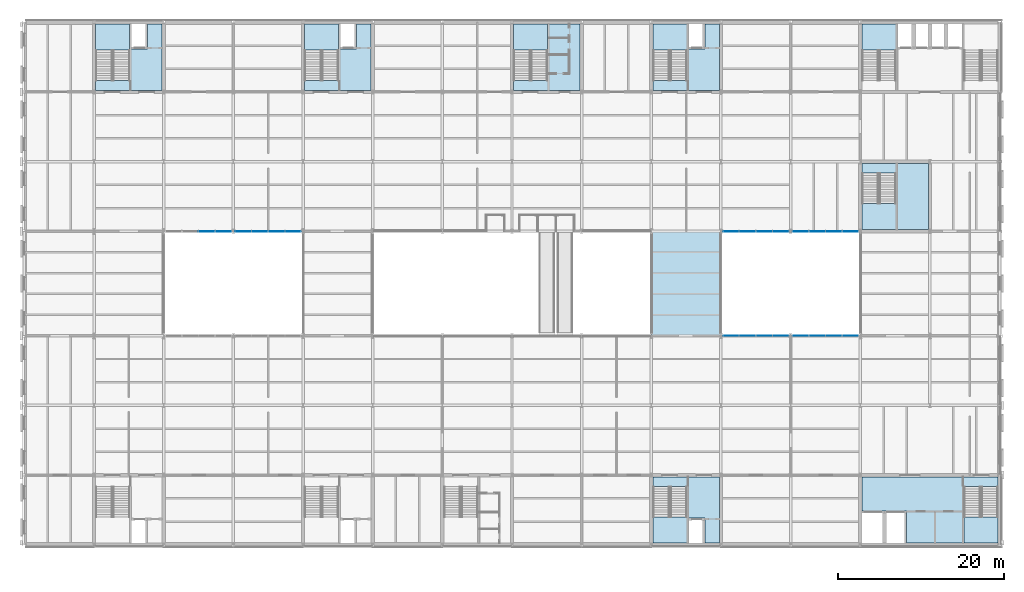
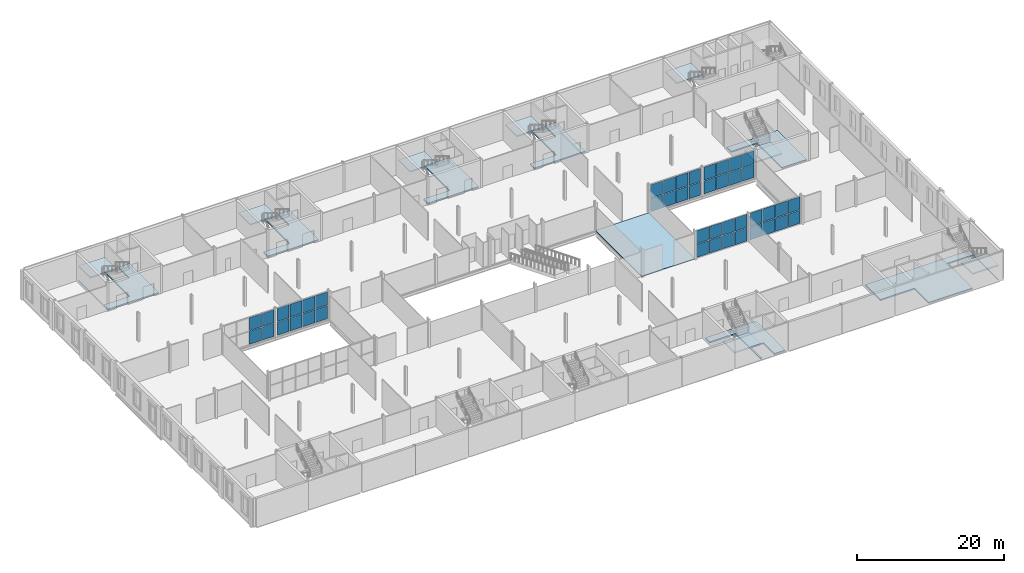
# One storey, part 26 of 52: 44 plates, 16 slabs, 14 elements without a shape of their own.
"""IFC4 building model written with IfcOpenShell, lengths in metres."""

from ifc_helpers import new_model, si_unit, direction, frame, origin, origin_2d, place, context, subcontext, project, spatial, polyline, rectangle, outline, extrude, material, layer, layer_set, type_object, element, aggregate, save


model = new_model("IFC4")

# Units and contexts
model_context = context("Model", 3, precision=1e-05, world=origin(), true_north=direction((0.0, 1.0)))
body_context = subcontext(model_context, "Body", "Model", "MODEL_VIEW")
ifc_project = project(units=[si_unit("LENGTHUNIT", "METRE"), si_unit("AREAUNIT", "SQUARE_METRE"), si_unit("VOLUMEUNIT", "CUBIC_METRE"), si_unit("PLANEANGLEUNIT", "RADIAN"), si_unit("MASSUNIT", "GRAM", prefix="KILO")], contexts=[model_context])

# Site, building, storey
site_placement = place(None, origin())
site = spatial("IfcSite", under=ifc_project, at=site_placement, CompositionType="ELEMENT")
building_placement = place(site_placement, origin())
building = spatial("IfcBuilding", under=site, at=building_placement, Name="Galleria Vessillo Department Store", CompositionType="ELEMENT")
storey_placement = place(building_placement, frame((0.0, 0.0, 16.199951171875)))
storey = spatial("IfcBuildingStorey", under=building, at=storey_placement, Name="L03", CompositionType="ELEMENT", Elevation=16.199951171875)

# Slab
ifc_material_1 = material(Name="Concrete C32/40 composite on steel deck", Category="concrete")
ifc_layer_1 = layer(ifc_material_1, 0.14990234375)
ifc_layer_set_1 = layer_set([ifc_layer_1], Name="Concrete C32/40 composite on steel deck")
slab_type_1 = type_object("IfcSlabType", Name="Composite bridge slab 150 mm", PredefinedType="FLOOR", material=ifc_layer_set_1)
slab_1_placement = place(storey_placement, frame((0.0, 0.0, -0.14990234375)))
element("IfcSlab", 1, at=slab_1_placement, inside=storey, type_object=slab_type_1, Name="S-SLAB-L03-BRIDGE-E", PredefinedType="FLOOR", context=body_context, shape_type="SweptSolid", body=[
    extrude(outline(polyline([(84.0, 25.199951171875), (84.0, 37.800048828125), (75.60009765625, 37.800048828125), (75.60009765625, 25.199951171875), (84.0, 25.199951171875)])), origin(), (0.0, 0.0, 1.0), 0.14990234375),
])

# Curtain wall, plates
ifc_material_2 = material(Name="Steel and fire-resisting glass curtain wall", Category="steel")
ifc_layer_2 = layer(ifc_material_2, 0.199951171875)
ifc_layer_set_2 = layer_set([ifc_layer_2], Name="Steel and fire-resisting glass curtain wall")
curtain_wall_type = type_object("IfcCurtainWallType", Name="Arcade fire-resisting glazed shopfront EI 120-Sa", PredefinedType="NOTDEFINED", material=ifc_layer_set_2)
curtain_wall_1_placement = place(storey_placement, origin())
curtain_wall_1 = element("IfcCurtainWall", 2, at=curtain_wall_1_placement, inside=storey, type_object=curtain_wall_type, Name="Arcade fire-resisting glazed shopfront EI 120-Sa AI-AE-S-L03-01", PredefinedType="NOTDEFINED")
ifc_material_3 = material(Name="Fire-resisting laminated glass EI 120", Category="glass")
ifc_layer_3 = layer(ifc_material_3, 0.052001953125)
ifc_layer_set_3 = layer_set([ifc_layer_3], Name="Fire-resisting laminated glass EI 120")
plate_type = type_object("IfcPlateType", Name="Fire-resisting glass panel 52 mm EI 120", PredefinedType="CURTAIN_PANEL", material=ifc_layer_set_3)
plate_1_placement = place(storey_placement, frame((85.189453125, 25.199951171875, 0.10009765625), z_axis=(0.0, 0.0, 1.0), x_axis=(1.0, 0.0, 0.0)))
plate_1 = element("IfcPlate", 3, at=plate_1_placement, type_object=plate_type, Name="CW7 panel 1.1", PredefinedType="CURTAIN_PANEL", context=body_context, shape_type="SweptSolid", body=[
    extrude(rectangle(XDim=1.87353515625, YDim=0.052001953125, at=origin_2d()), origin(), (0.0, 0.0, 1.0), 2.175048828125),
])
plate_2_placement = place(storey_placement, frame((85.189453125, 25.199951171875, 2.375), z_axis=(0.0, 0.0, 1.0), x_axis=(1.0, 0.0, 0.0)))
plate_2 = element("IfcPlate", 4, at=plate_2_placement, type_object=plate_type, Name="CW7 panel 1.2", PredefinedType="CURTAIN_PANEL", context=body_context, shape_type="SweptSolid", body=[
    extrude(rectangle(XDim=1.87353515625, YDim=0.052001953125, at=origin_2d()), origin(), (0.0, 0.0, 1.0), 2.175048828125),
])
plate_3_placement = place(storey_placement, frame((87.18798828125, 25.199951171875, 0.10009765625), z_axis=(0.0, 0.0, 1.0), x_axis=(1.0, 0.0, 0.0)))
plate_3 = element("IfcPlate", 5, at=plate_3_placement, type_object=plate_type, Name="CW7 panel 2.1", PredefinedType="CURTAIN_PANEL", context=body_context, shape_type="SweptSolid", body=[
    extrude(rectangle(XDim=1.923583984375, YDim=0.052001953125, at=origin_2d()), origin(), (0.0, 0.0, 1.0), 2.175048828125),
])
plate_4_placement = place(storey_placement, frame((87.18798828125, 25.199951171875, 2.375), z_axis=(0.0, 0.0, 1.0), x_axis=(1.0, 0.0, 0.0)))
plate_4 = element("IfcPlate", 6, at=plate_4_placement, type_object=plate_type, Name="CW7 panel 2.2", PredefinedType="CURTAIN_PANEL", context=body_context, shape_type="SweptSolid", body=[
    extrude(rectangle(XDim=1.923583984375, YDim=0.052001953125, at=origin_2d()), origin(), (0.0, 0.0, 1.0), 2.175048828125),
])
plate_5_placement = place(storey_placement, frame((89.21142578125, 25.199951171875, 0.10009765625), z_axis=(0.0, 0.0, 1.0), x_axis=(1.0, 0.0, 0.0)))
plate_5 = element("IfcPlate", 7, at=plate_5_placement, type_object=plate_type, Name="CW7 panel 3.1", PredefinedType="CURTAIN_PANEL", context=body_context, shape_type="SweptSolid", body=[
    extrude(rectangle(XDim=1.923583984375, YDim=0.052001953125, at=origin_2d()), origin(), (0.0, 0.0, 1.0), 2.175048828125),
])
plate_6_placement = place(storey_placement, frame((89.21142578125, 25.199951171875, 2.375), z_axis=(0.0, 0.0, 1.0), x_axis=(1.0, 0.0, 0.0)))
plate_6 = element("IfcPlate", 8, at=plate_6_placement, type_object=plate_type, Name="CW7 panel 3.2", PredefinedType="CURTAIN_PANEL", context=body_context, shape_type="SweptSolid", body=[
    extrude(rectangle(XDim=1.923583984375, YDim=0.052001953125, at=origin_2d()), origin(), (0.0, 0.0, 1.0), 2.175048828125),
])
plate_7_placement = place(storey_placement, frame((91.2099609375, 25.199951171875, 0.10009765625), z_axis=(0.0, 0.0, 1.0), x_axis=(1.0, 0.0, 0.0)))
plate_7 = element("IfcPlate", 9, at=plate_7_placement, type_object=plate_type, Name="CW7 panel 4.1", PredefinedType="CURTAIN_PANEL", context=body_context, shape_type="SweptSolid", body=[
    extrude(rectangle(XDim=1.87353515625, YDim=0.052001953125, at=origin_2d()), origin(), (0.0, 0.0, 1.0), 2.175048828125),
])
plate_8_placement = place(storey_placement, frame((91.2099609375, 25.199951171875, 2.375), z_axis=(0.0, 0.0, 1.0), x_axis=(1.0, 0.0, 0.0)))
plate_8 = element("IfcPlate", 10, at=plate_8_placement, type_object=plate_type, Name="CW7 panel 4.2", PredefinedType="CURTAIN_PANEL", context=body_context, shape_type="SweptSolid", body=[
    extrude(rectangle(XDim=1.87353515625, YDim=0.052001953125, at=origin_2d()), origin(), (0.0, 0.0, 1.0), 2.175048828125),
])
aggregate(curtain_wall_1, [plate_1, plate_2, plate_3, plate_4, plate_5, plate_6, plate_7, plate_8])

curtain_wall_2_placement = place(storey_placement, origin())
curtain_wall_2 = element("IfcCurtainWall", 11, at=curtain_wall_2_placement, inside=storey, type_object=curtain_wall_type, Name="Arcade fire-resisting glazed shopfront EI 120-Sa AI-AE-S-L03-02", PredefinedType="NOTDEFINED")
plate_9_placement = place(storey_placement, frame((93.58984375, 25.199951171875, 0.10009765625), z_axis=(0.0, 0.0, 1.0), x_axis=(1.0, 0.0, 0.0)))
plate_9 = element("IfcPlate", 12, at=plate_9_placement, type_object=plate_type, Name="CW7 panel 1.1", PredefinedType="CURTAIN_PANEL", context=body_context, shape_type="SweptSolid", body=[
    extrude(rectangle(XDim=1.87353515625, YDim=0.052001953125, at=origin_2d()), origin(), (0.0, 0.0, 1.0), 2.175048828125),
])
plate_10_placement = place(storey_placement, frame((93.58984375, 25.199951171875, 2.375), z_axis=(0.0, 0.0, 1.0), x_axis=(1.0, 0.0, 0.0)))
plate_10 = element("IfcPlate", 13, at=plate_10_placement, type_object=plate_type, Name="CW7 panel 1.2", PredefinedType="CURTAIN_PANEL", context=body_context, shape_type="SweptSolid", body=[
    extrude(rectangle(XDim=1.87353515625, YDim=0.052001953125, at=origin_2d()), origin(), (0.0, 0.0, 1.0), 2.175048828125),
])
plate_11_placement = place(storey_placement, frame((95.58837890625, 25.199951171875, 0.10009765625), z_axis=(0.0, 0.0, 1.0), x_axis=(1.0, 0.0, 0.0)))
plate_11 = element("IfcPlate", 14, at=plate_11_placement, type_object=plate_type, Name="CW7 panel 2.1", PredefinedType="CURTAIN_PANEL", context=body_context, shape_type="SweptSolid", body=[
    extrude(rectangle(XDim=1.923583984375, YDim=0.052001953125, at=origin_2d()), origin(), (0.0, 0.0, 1.0), 2.175048828125),
])
plate_12_placement = place(storey_placement, frame((95.58837890625, 25.199951171875, 2.375), z_axis=(0.0, 0.0, 1.0), x_axis=(1.0, 0.0, 0.0)))
plate_12 = element("IfcPlate", 15, at=plate_12_placement, type_object=plate_type, Name="CW7 panel 2.2", PredefinedType="CURTAIN_PANEL", context=body_context, shape_type="SweptSolid", body=[
    extrude(rectangle(XDim=1.923583984375, YDim=0.052001953125, at=origin_2d()), origin(), (0.0, 0.0, 1.0), 2.175048828125),
])
plate_13_placement = place(storey_placement, frame((97.612060546875, 25.199951171875, 0.10009765625), z_axis=(0.0, 0.0, 1.0), x_axis=(1.0, 0.0, 0.0)))
plate_13 = element("IfcPlate", 16, at=plate_13_placement, type_object=plate_type, Name="CW7 panel 3.1", PredefinedType="CURTAIN_PANEL", context=body_context, shape_type="SweptSolid", body=[
    extrude(rectangle(XDim=1.923583984375, YDim=0.052001953125, at=origin_2d()), origin(), (0.0, 0.0, 1.0), 2.175048828125),
])
plate_14_placement = place(storey_placement, frame((97.612060546875, 25.199951171875, 2.375), z_axis=(0.0, 0.0, 1.0), x_axis=(1.0, 0.0, 0.0)))
plate_14 = element("IfcPlate", 17, at=plate_14_placement, type_object=plate_type, Name="CW7 panel 3.2", PredefinedType="CURTAIN_PANEL", context=body_context, shape_type="SweptSolid", body=[
    extrude(rectangle(XDim=1.923583984375, YDim=0.052001953125, at=origin_2d()), origin(), (0.0, 0.0, 1.0), 2.175048828125),
])
plate_15_placement = place(storey_placement, frame((99.610595703125, 25.199951171875, 0.10009765625), z_axis=(0.0, 0.0, 1.0), x_axis=(1.0, 0.0, 0.0)))
plate_15 = element("IfcPlate", 18, at=plate_15_placement, type_object=plate_type, Name="CW7 panel 4.1", PredefinedType="CURTAIN_PANEL", context=body_context, shape_type="SweptSolid", body=[
    extrude(rectangle(XDim=1.87353515625, YDim=0.052001953125, at=origin_2d()), origin(), (0.0, 0.0, 1.0), 2.175048828125),
])
plate_16_placement = place(storey_placement, frame((99.610595703125, 25.199951171875, 2.375), z_axis=(0.0, 0.0, 1.0), x_axis=(1.0, 0.0, 0.0)))
plate_16 = element("IfcPlate", 19, at=plate_16_placement, type_object=plate_type, Name="CW7 panel 4.2", PredefinedType="CURTAIN_PANEL", context=body_context, shape_type="SweptSolid", body=[
    extrude(rectangle(XDim=1.87353515625, YDim=0.052001953125, at=origin_2d()), origin(), (0.0, 0.0, 1.0), 2.175048828125),
])
aggregate(curtain_wall_2, [plate_9, plate_10, plate_11, plate_12, plate_13, plate_14, plate_15, plate_16])

curtain_wall_3_placement = place(storey_placement, origin())
curtain_wall_3 = element("IfcCurtainWall", 20, at=curtain_wall_3_placement, inside=storey, type_object=curtain_wall_type, Name="Arcade fire-resisting glazed shopfront EI 120-Sa AI-AW-N-L03-01", PredefinedType="NOTDEFINED")
plate_17_placement = place(storey_placement, frame((22.011474609375, 37.800048828125, 0.10009765625), z_axis=(0.0, 0.0, 1.0), x_axis=(1.0, 0.0, 0.0)))
plate_17 = element("IfcPlate", 21, at=plate_17_placement, type_object=plate_type, Name="CW7 panel 3.1", PredefinedType="CURTAIN_PANEL", context=body_context, shape_type="SweptSolid", body=[
    extrude(rectangle(XDim=1.923583984375, YDim=0.052001953125, at=origin_2d()), origin(), (0.0, 0.0, 1.0), 2.175048828125),
])
plate_18_placement = place(storey_placement, frame((22.011474609375, 37.800048828125, 2.375), z_axis=(0.0, 0.0, 1.0), x_axis=(1.0, 0.0, 0.0)))
plate_18 = element("IfcPlate", 22, at=plate_18_placement, type_object=plate_type, Name="CW7 panel 3.2", PredefinedType="CURTAIN_PANEL", context=body_context, shape_type="SweptSolid", body=[
    extrude(rectangle(XDim=1.923583984375, YDim=0.052001953125, at=origin_2d()), origin(), (0.0, 0.0, 1.0), 2.175048828125),
])
plate_19_placement = place(storey_placement, frame((24.010009765625, 37.800048828125, 0.10009765625), z_axis=(0.0, 0.0, 1.0), x_axis=(1.0, 0.0, 0.0)))
plate_19 = element("IfcPlate", 23, at=plate_19_placement, type_object=plate_type, Name="CW7 panel 4.1", PredefinedType="CURTAIN_PANEL", context=body_context, shape_type="SweptSolid", body=[
    extrude(rectangle(XDim=1.87353515625, YDim=0.052001953125, at=origin_2d()), origin(), (0.0, 0.0, 1.0), 2.175048828125),
])
plate_20_placement = place(storey_placement, frame((24.010009765625, 37.800048828125, 2.375), z_axis=(0.0, 0.0, 1.0), x_axis=(1.0, 0.0, 0.0)))
plate_20 = element("IfcPlate", 24, at=plate_20_placement, type_object=plate_type, Name="CW7 panel 4.2", PredefinedType="CURTAIN_PANEL", context=body_context, shape_type="SweptSolid", body=[
    extrude(rectangle(XDim=1.87353515625, YDim=0.052001953125, at=origin_2d()), origin(), (0.0, 0.0, 1.0), 2.175048828125),
])
aggregate(curtain_wall_3, [plate_17, plate_18, plate_19, plate_20])

curtain_wall_4_placement = place(storey_placement, origin())
curtain_wall_4 = element("IfcCurtainWall", 25, at=curtain_wall_4_placement, inside=storey, type_object=curtain_wall_type, Name="Arcade fire-resisting glazed shopfront EI 120-Sa AI-AW-N-L03-02", PredefinedType="NOTDEFINED")
plate_21_placement = place(storey_placement, frame((26.389892578125, 37.800048828125, 0.10009765625), z_axis=(0.0, 0.0, 1.0), x_axis=(1.0, 0.0, 0.0)))
plate_21 = element("IfcPlate", 26, at=plate_21_placement, type_object=plate_type, Name="CW7 panel 1.1", PredefinedType="CURTAIN_PANEL", context=body_context, shape_type="SweptSolid", body=[
    extrude(rectangle(XDim=1.87353515625, YDim=0.052001953125, at=origin_2d()), origin(), (0.0, 0.0, 1.0), 2.175048828125),
])
plate_22_placement = place(storey_placement, frame((26.389892578125, 37.800048828125, 2.375), z_axis=(0.0, 0.0, 1.0), x_axis=(1.0, 0.0, 0.0)))
plate_22 = element("IfcPlate", 27, at=plate_22_placement, type_object=plate_type, Name="CW7 panel 1.2", PredefinedType="CURTAIN_PANEL", context=body_context, shape_type="SweptSolid", body=[
    extrude(rectangle(XDim=1.87353515625, YDim=0.052001953125, at=origin_2d()), origin(), (0.0, 0.0, 1.0), 2.175048828125),
])
plate_23_placement = place(storey_placement, frame((28.388427734375, 37.800048828125, 0.10009765625), z_axis=(0.0, 0.0, 1.0), x_axis=(1.0, 0.0, 0.0)))
plate_23 = element("IfcPlate", 28, at=plate_23_placement, type_object=plate_type, Name="CW7 panel 2.1", PredefinedType="CURTAIN_PANEL", context=body_context, shape_type="SweptSolid", body=[
    extrude(rectangle(XDim=1.923583984375, YDim=0.052001953125, at=origin_2d()), origin(), (0.0, 0.0, 1.0), 2.175048828125),
])
plate_24_placement = place(storey_placement, frame((28.388427734375, 37.800048828125, 2.375), z_axis=(0.0, 0.0, 1.0), x_axis=(1.0, 0.0, 0.0)))
plate_24 = element("IfcPlate", 29, at=plate_24_placement, type_object=plate_type, Name="CW7 panel 2.2", PredefinedType="CURTAIN_PANEL", context=body_context, shape_type="SweptSolid", body=[
    extrude(rectangle(XDim=1.923583984375, YDim=0.052001953125, at=origin_2d()), origin(), (0.0, 0.0, 1.0), 2.175048828125),
])
plate_25_placement = place(storey_placement, frame((30.412109375, 37.800048828125, 0.10009765625), z_axis=(0.0, 0.0, 1.0), x_axis=(1.0, 0.0, 0.0)))
plate_25 = element("IfcPlate", 30, at=plate_25_placement, type_object=plate_type, Name="CW7 panel 3.1", PredefinedType="CURTAIN_PANEL", context=body_context, shape_type="SweptSolid", body=[
    extrude(rectangle(XDim=1.923583984375, YDim=0.052001953125, at=origin_2d()), origin(), (0.0, 0.0, 1.0), 2.175048828125),
])
plate_26_placement = place(storey_placement, frame((30.412109375, 37.800048828125, 2.375), z_axis=(0.0, 0.0, 1.0), x_axis=(1.0, 0.0, 0.0)))
plate_26 = element("IfcPlate", 31, at=plate_26_placement, type_object=plate_type, Name="CW7 panel 3.2", PredefinedType="CURTAIN_PANEL", context=body_context, shape_type="SweptSolid", body=[
    extrude(rectangle(XDim=1.923583984375, YDim=0.052001953125, at=origin_2d()), origin(), (0.0, 0.0, 1.0), 2.175048828125),
])
plate_27_placement = place(storey_placement, frame((32.41064453125, 37.800048828125, 0.10009765625), z_axis=(0.0, 0.0, 1.0), x_axis=(1.0, 0.0, 0.0)))
plate_27 = element("IfcPlate", 32, at=plate_27_placement, type_object=plate_type, Name="CW7 panel 4.1", PredefinedType="CURTAIN_PANEL", context=body_context, shape_type="SweptSolid", body=[
    extrude(rectangle(XDim=1.87353515625, YDim=0.052001953125, at=origin_2d()), origin(), (0.0, 0.0, 1.0), 2.175048828125),
])
plate_28_placement = place(storey_placement, frame((32.41064453125, 37.800048828125, 2.375), z_axis=(0.0, 0.0, 1.0), x_axis=(1.0, 0.0, 0.0)))
plate_28 = element("IfcPlate", 33, at=plate_28_placement, type_object=plate_type, Name="CW7 panel 4.2", PredefinedType="CURTAIN_PANEL", context=body_context, shape_type="SweptSolid", body=[
    extrude(rectangle(XDim=1.87353515625, YDim=0.052001953125, at=origin_2d()), origin(), (0.0, 0.0, 1.0), 2.175048828125),
])
aggregate(curtain_wall_4, [plate_21, plate_22, plate_23, plate_24, plate_25, plate_26, plate_27, plate_28])

curtain_wall_5_placement = place(storey_placement, origin())
curtain_wall_5 = element("IfcCurtainWall", 34, at=curtain_wall_5_placement, inside=storey, type_object=curtain_wall_type, Name="Arcade fire-resisting glazed shopfront EI 120-Sa AI-AE-N-L03-01", PredefinedType="NOTDEFINED")
plate_29_placement = place(storey_placement, frame((85.190185546875, 37.800048828125, 0.10009765625), z_axis=(0.0, 0.0, 1.0), x_axis=(1.0, 0.0, 0.0)))
plate_29 = element("IfcPlate", 35, at=plate_29_placement, type_object=plate_type, Name="CW7 panel 1.1", PredefinedType="CURTAIN_PANEL", context=body_context, shape_type="SweptSolid", body=[
    extrude(rectangle(XDim=1.873291015625, YDim=0.052001953125, at=origin_2d()), origin(), (0.0, 0.0, 1.0), 2.175048828125),
])
plate_30_placement = place(storey_placement, frame((85.190185546875, 37.800048828125, 2.375), z_axis=(0.0, 0.0, 1.0), x_axis=(1.0, 0.0, 0.0)))
plate_30 = element("IfcPlate", 36, at=plate_30_placement, type_object=plate_type, Name="CW7 panel 1.2", PredefinedType="CURTAIN_PANEL", context=body_context, shape_type="SweptSolid", body=[
    extrude(rectangle(XDim=1.873291015625, YDim=0.052001953125, at=origin_2d()), origin(), (0.0, 0.0, 1.0), 2.175048828125),
])
plate_31_placement = place(storey_placement, frame((87.188232421875, 37.800048828125, 0.10009765625), z_axis=(0.0, 0.0, 1.0), x_axis=(1.0, 0.0, 0.0)))
plate_31 = element("IfcPlate", 37, at=plate_31_placement, type_object=plate_type, Name="CW7 panel 2.1", PredefinedType="CURTAIN_PANEL", context=body_context, shape_type="SweptSolid", body=[
    extrude(rectangle(XDim=1.923095703125, YDim=0.052001953125, at=origin_2d()), origin(), (0.0, 0.0, 1.0), 2.175048828125),
])
plate_32_placement = place(storey_placement, frame((87.188232421875, 37.800048828125, 2.375), z_axis=(0.0, 0.0, 1.0), x_axis=(1.0, 0.0, 0.0)))
plate_32 = element("IfcPlate", 38, at=plate_32_placement, type_object=plate_type, Name="CW7 panel 2.2", PredefinedType="CURTAIN_PANEL", context=body_context, shape_type="SweptSolid", body=[
    extrude(rectangle(XDim=1.923095703125, YDim=0.052001953125, at=origin_2d()), origin(), (0.0, 0.0, 1.0), 2.175048828125),
])
plate_33_placement = place(storey_placement, frame((89.211669921875, 37.800048828125, 0.10009765625), z_axis=(0.0, 0.0, 1.0), x_axis=(1.0, 0.0, 0.0)))
plate_33 = element("IfcPlate", 39, at=plate_33_placement, type_object=plate_type, Name="CW7 panel 3.1", PredefinedType="CURTAIN_PANEL", context=body_context, shape_type="SweptSolid", body=[
    extrude(rectangle(XDim=1.923095703125, YDim=0.052001953125, at=origin_2d()), origin(), (0.0, 0.0, 1.0), 2.175048828125),
])
plate_34_placement = place(storey_placement, frame((89.211669921875, 37.800048828125, 2.375), z_axis=(0.0, 0.0, 1.0), x_axis=(1.0, 0.0, 0.0)))
plate_34 = element("IfcPlate", 40, at=plate_34_placement, type_object=plate_type, Name="CW7 panel 3.2", PredefinedType="CURTAIN_PANEL", context=body_context, shape_type="SweptSolid", body=[
    extrude(rectangle(XDim=1.923095703125, YDim=0.052001953125, at=origin_2d()), origin(), (0.0, 0.0, 1.0), 2.175048828125),
])
plate_35_placement = place(storey_placement, frame((91.209716796875, 37.800048828125, 0.10009765625), z_axis=(0.0, 0.0, 1.0), x_axis=(1.0, 0.0, 0.0)))
plate_35 = element("IfcPlate", 41, at=plate_35_placement, type_object=plate_type, Name="CW7 panel 4.1", PredefinedType="CURTAIN_PANEL", context=body_context, shape_type="SweptSolid", body=[
    extrude(rectangle(XDim=1.873291015625, YDim=0.052001953125, at=origin_2d()), origin(), (0.0, 0.0, 1.0), 2.175048828125),
])
plate_36_placement = place(storey_placement, frame((91.209716796875, 37.800048828125, 2.375), z_axis=(0.0, 0.0, 1.0), x_axis=(1.0, 0.0, 0.0)))
plate_36 = element("IfcPlate", 42, at=plate_36_placement, type_object=plate_type, Name="CW7 panel 4.2", PredefinedType="CURTAIN_PANEL", context=body_context, shape_type="SweptSolid", body=[
    extrude(rectangle(XDim=1.873291015625, YDim=0.052001953125, at=origin_2d()), origin(), (0.0, 0.0, 1.0), 2.175048828125),
])
aggregate(curtain_wall_5, [plate_29, plate_30, plate_31, plate_32, plate_33, plate_34, plate_35, plate_36])

curtain_wall_6_placement = place(storey_placement, origin())
curtain_wall_6 = element("IfcCurtainWall", 43, at=curtain_wall_6_placement, inside=storey, type_object=curtain_wall_type, Name="Arcade fire-resisting glazed shopfront EI 120-Sa AI-AE-N-L03-02", PredefinedType="NOTDEFINED")
plate_37_placement = place(storey_placement, frame((93.590087890625, 37.800048828125, 0.10009765625), z_axis=(0.0, 0.0, 1.0), x_axis=(1.0, 0.0, 0.0)))
plate_37 = element("IfcPlate", 44, at=plate_37_placement, type_object=plate_type, Name="CW7 panel 1.1", PredefinedType="CURTAIN_PANEL", context=body_context, shape_type="SweptSolid", body=[
    extrude(rectangle(XDim=1.873291015625, YDim=0.052001953125, at=origin_2d()), origin(), (0.0, 0.0, 1.0), 2.175048828125),
])
plate_38_placement = place(storey_placement, frame((93.590087890625, 37.800048828125, 2.375), z_axis=(0.0, 0.0, 1.0), x_axis=(1.0, 0.0, 0.0)))
plate_38 = element("IfcPlate", 45, at=plate_38_placement, type_object=plate_type, Name="CW7 panel 1.2", PredefinedType="CURTAIN_PANEL", context=body_context, shape_type="SweptSolid", body=[
    extrude(rectangle(XDim=1.873291015625, YDim=0.052001953125, at=origin_2d()), origin(), (0.0, 0.0, 1.0), 2.175048828125),
])
plate_39_placement = place(storey_placement, frame((95.58837890625, 37.800048828125, 0.10009765625), z_axis=(0.0, 0.0, 1.0), x_axis=(1.0, 0.0, 0.0)))
plate_39 = element("IfcPlate", 46, at=plate_39_placement, type_object=plate_type, Name="CW7 panel 2.1", PredefinedType="CURTAIN_PANEL", context=body_context, shape_type="SweptSolid", body=[
    extrude(rectangle(XDim=1.92333984375, YDim=0.052001953125, at=origin_2d()), origin(), (0.0, 0.0, 1.0), 2.175048828125),
])
plate_40_placement = place(storey_placement, frame((95.58837890625, 37.800048828125, 2.375), z_axis=(0.0, 0.0, 1.0), x_axis=(1.0, 0.0, 0.0)))
plate_40 = element("IfcPlate", 47, at=plate_40_placement, type_object=plate_type, Name="CW7 panel 2.2", PredefinedType="CURTAIN_PANEL", context=body_context, shape_type="SweptSolid", body=[
    extrude(rectangle(XDim=1.92333984375, YDim=0.052001953125, at=origin_2d()), origin(), (0.0, 0.0, 1.0), 2.175048828125),
])
plate_41_placement = place(storey_placement, frame((97.611572265625, 37.800048828125, 0.10009765625), z_axis=(0.0, 0.0, 1.0), x_axis=(1.0, 0.0, 0.0)))
plate_41 = element("IfcPlate", 48, at=plate_41_placement, type_object=plate_type, Name="CW7 panel 3.1", PredefinedType="CURTAIN_PANEL", context=body_context, shape_type="SweptSolid", body=[
    extrude(rectangle(XDim=1.92333984375, YDim=0.052001953125, at=origin_2d()), origin(), (0.0, 0.0, 1.0), 2.175048828125),
])
plate_42_placement = place(storey_placement, frame((97.611572265625, 37.800048828125, 2.375), z_axis=(0.0, 0.0, 1.0), x_axis=(1.0, 0.0, 0.0)))
plate_42 = element("IfcPlate", 49, at=plate_42_placement, type_object=plate_type, Name="CW7 panel 3.2", PredefinedType="CURTAIN_PANEL", context=body_context, shape_type="SweptSolid", body=[
    extrude(rectangle(XDim=1.92333984375, YDim=0.052001953125, at=origin_2d()), origin(), (0.0, 0.0, 1.0), 2.175048828125),
])
plate_43_placement = place(storey_placement, frame((99.60986328125, 37.800048828125, 0.10009765625), z_axis=(0.0, 0.0, 1.0), x_axis=(1.0, 0.0, 0.0)))
plate_43 = element("IfcPlate", 50, at=plate_43_placement, type_object=plate_type, Name="CW7 panel 4.1", PredefinedType="CURTAIN_PANEL", context=body_context, shape_type="SweptSolid", body=[
    extrude(rectangle(XDim=1.873291015625, YDim=0.052001953125, at=origin_2d()), origin(), (0.0, 0.0, 1.0), 2.175048828125),
])
plate_44_placement = place(storey_placement, frame((99.60986328125, 37.800048828125, 2.375), z_axis=(0.0, 0.0, 1.0), x_axis=(1.0, 0.0, 0.0)))
plate_44 = element("IfcPlate", 51, at=plate_44_placement, type_object=plate_type, Name="CW7 panel 4.2", PredefinedType="CURTAIN_PANEL", context=body_context, shape_type="SweptSolid", body=[
    extrude(rectangle(XDim=1.873291015625, YDim=0.052001953125, at=origin_2d()), origin(), (0.0, 0.0, 1.0), 2.175048828125),
])
aggregate(curtain_wall_6, [plate_37, plate_38, plate_39, plate_40, plate_41, plate_42, plate_43, plate_44])

# Slabs
ifc_material_4 = material(Name="Concrete C32/40 reinforced", Category="concrete")
ifc_layer_4 = layer(ifc_material_4, 0.219970703125)
ifc_layer_set_4 = layer_set([ifc_layer_4], Name="Concrete C32/40 reinforced")
slab_type_2 = type_object("IfcSlabType", Name="Reinforced concrete core floor slab 220 mm", PredefinedType="FLOOR", material=ifc_layer_set_4)
slab_2_placement = place(storey_placement, frame((0.0, 0.0, -0.219970703125)))
element("IfcSlab", 52, at=slab_2_placement, inside=storey, type_object=slab_type_2, Name="S-SLAB-L03-CORE-PC-NW", PredefinedType="FLOOR", context=body_context, shape_type="SweptSolid", body=[
    extrude(outline(polyline([(16.60009765625, 62.800048828125), (16.60009765625, 54.800048828125), (8.599853515625, 54.800048828125), (8.60009765625, 62.800048828125), (8.60009765625, 56.0), (12.699951171875, 56.0), (12.699951171875, 62.800048828125), (12.89990234375, 62.800048828125), (12.89990234375, 59.800048828125), (14.85009765625, 59.800048828125), (14.85009765625, 62.800048828125), (16.60009765625, 62.800048828125)])), origin(), (0.0, 0.0, 1.0), 0.219970703125),
])
slab_3_placement = place(storey_placement, frame((0.0, 0.0, -0.219970703125)))
element("IfcSlab", 53, at=slab_3_placement, inside=storey, type_object=slab_type_2, Name="S-SLAB-L03-CORE-PC-NM", PredefinedType="FLOOR", context=body_context, shape_type="SweptSolid", body=[
    extrude(outline(polyline([(41.800048828125, 62.800048828125), (41.800048828125, 54.800048828125), (33.800048828125, 54.800048828125), (33.800048828125, 56.0), (37.89990234375, 56.0), (37.89990234375, 62.800048828125), (38.10009765625, 62.800048828125), (38.10009765625, 59.800048828125), (40.050048828125, 59.800048828125), (40.050048828125, 62.800048828125), (41.800048828125, 62.800048828125)])), origin(), (0.0, 0.0, 1.0), 0.219970703125),
])
slab_4_placement = place(storey_placement, frame((0.0, 0.0, -0.219970703125)))
element("IfcSlab", 54, at=slab_4_placement, inside=storey, type_object=slab_type_2, Name="S-SLAB-L03-CORE-PC-SE", PredefinedType="FLOOR", context=body_context, shape_type="SweptSolid", body=[
    extrude(outline(polyline([(75.800048828125, 8.199951171875), (83.800048828125, 8.199951171875), (83.800048828125, 0.199951171875), (82.050048828125, 0.199951171875), (82.050048828125, 3.199951171875), (80.10009765625, 3.199951171875), (80.10009765625, 0.199951171875), (79.89990234375, 0.199951171875), (79.89990234375, 7.0), (75.800048828125, 7.0), (75.800048828125, 8.199951171875)])), origin(), (0.0, 0.0, 1.0), 0.219970703125),
])
slab_5_placement = place(storey_placement, frame((0.0, 0.0, -0.219970703125)))
element("IfcSlab", 55, at=slab_5_placement, inside=storey, type_object=slab_type_2, Name="S-SLAB-L03-CORE-PC-NE", PredefinedType="FLOOR", context=body_context, shape_type="SweptSolid", body=[
    extrude(outline(polyline([(83.800048828125, 62.800048828125), (83.800048828125, 54.800048828125), (75.800048828125, 54.800048828125), (75.800048828125, 56.0), (79.89990234375, 56.0), (79.89990234375, 62.800048828125), (80.10009765625, 62.800048828125), (80.10009765625, 59.800048828125), (82.050048828125, 59.800048828125), (82.050048828125, 62.800048828125), (83.800048828125, 62.800048828125)])), origin(), (0.0, 0.0, 1.0), 0.219970703125),
])
slab_6_placement = place(storey_placement, frame((0.0, 0.0, -0.219970703125)))
element("IfcSlab", 56, at=slab_6_placement, inside=storey, type_object=slab_type_2, Name="S-SLAB-L03-CORE-PC-NC", PredefinedType="FLOOR", context=body_context, shape_type="SweptSolid", body=[
    extrude(outline(polyline([(67.0, 62.800048828125), (67.0, 54.800048828125), (59.0, 54.800048828125), (59.0, 56.0), (63.10009765625, 56.0), (63.10009765625, 62.800048828125), (67.0, 62.800048828125)])), origin(), (0.0, 0.0, 1.0), 0.219970703125),
])
slab_7_placement = place(storey_placement, frame((0.0, 0.0, -0.219970703125)))
element("IfcSlab", 57, at=slab_7_placement, inside=storey, type_object=slab_type_2, Name="S-SLAB-L03-CORE-GC", PredefinedType="FLOOR", context=body_context, shape_type="SweptSolid", body=[
    extrude(outline(polyline([(101.0, 8.199951171875), (117.400146484375, 8.199951171875), (117.39990234375, 0.199951171875), (117.39990234375, 7.0), (113.300048828125, 7.0), (113.300048828125, 0.199951171875), (106.39990234375, 0.199951171875), (106.39990234375, 4.10009765625), (101.0, 4.10009765625), (101.0, 8.199951171875)])), origin(), (0.0, 0.0, 1.0), 0.219970703125),
])
slab_8_placement = place(storey_placement, frame((0.0, 0.0, -0.219970703125)))
element("IfcSlab", 58, at=slab_8_placement, inside=storey, type_object=slab_type_2, Name="S-SLAB-L03-CORE-TS", PredefinedType="FLOOR", context=body_context, shape_type="SweptSolid", body=[
    extrude(outline(polyline([(101.0, 46.0), (109.0, 46.0), (109.0, 38.0), (105.10009765625, 38.0), (105.10009765625, 44.800048828125), (101.0, 44.800048828125), (101.0, 46.0)])), origin(), (0.0, 0.0, 1.0), 0.219970703125),
])

# Stair, slab
ifc_material_5 = material(Name="Concrete C32/40", Category="concrete")
stair_type = type_object("IfcStairType", Name="Half-turn escape stair 2000 mm, 28 risers of 171 mm", PredefinedType="HALF_TURN_STAIR", material=ifc_material_5)
stair_1_placement = place(storey_placement, origin())
stair_1 = element("IfcStair", 59, at=stair_1_placement, inside=storey, type_object=stair_type, Name="Stair ST2 L03", PredefinedType="HALF_TURN_STAIR")
ifc_material_6 = material(Name="Concrete C32/40", Category="concrete")
ifc_layer_5 = layer(ifc_material_6, 0.199951171875)
ifc_layer_set_5 = layer_set([ifc_layer_5], Name="Concrete C32/40")
slab_type_3 = type_object("IfcSlabType", Name="Stair half landing 4100 x 3160 mm", PredefinedType="LANDING", material=ifc_layer_set_5)
slab_9_placement = place(storey_placement, frame((0.0, 0.0, 2.2001953125)))
slab_9 = element("IfcSlab", 60, at=slab_9_placement, type_object=slab_type_3, Name="ST2 landing 1", PredefinedType="LANDING", context=body_context, shape_type="SweptSolid", body=[
    extrude(outline(polyline([(8.599853515625, 59.639892578125), (8.599853515625, 62.800048828125), (12.699951171875, 62.800048828125), (12.699951171875, 59.639892578125), (8.599853515625, 59.639892578125)])), origin(), (0.0, 0.0, 1.0), 0.199951171875),
])
aggregate(stair_1, [slab_9])

stair_2_placement = place(storey_placement, origin())
stair_2 = element("IfcStair", 61, at=stair_2_placement, inside=storey, type_object=stair_type, Name="Stair ST4 L03", PredefinedType="HALF_TURN_STAIR")
slab_10_placement = place(storey_placement, frame((0.0, 0.0, 2.2001953125)))
slab_10 = element("IfcSlab", 62, at=slab_10_placement, type_object=slab_type_3, Name="ST4 landing 1", PredefinedType="LANDING", context=body_context, shape_type="SweptSolid", body=[
    extrude(outline(polyline([(33.800048828125, 59.639892578125), (33.800048828125, 62.800048828125), (37.900146484375, 62.800048828125), (37.900146484375, 59.639892578125), (33.800048828125, 59.639892578125)])), origin(), (0.0, 0.0, 1.0), 0.199951171875),
])
aggregate(stair_2, [slab_10])

stair_3_placement = place(storey_placement, origin())
stair_3 = element("IfcStair", 63, at=stair_3_placement, inside=storey, type_object=stair_type, Name="Stair ST5 L03", PredefinedType="HALF_TURN_STAIR")
slab_11_placement = place(storey_placement, frame((0.0, 0.0, 2.2001953125)))
slab_11 = element("IfcSlab", 64, at=slab_11_placement, type_object=slab_type_3, Name="ST5 landing 1", PredefinedType="LANDING", context=body_context, shape_type="SweptSolid", body=[
    extrude(outline(polyline([(75.800048828125, 0.199951171875), (75.800048828125, 3.360107421875), (79.900146484375, 3.360107421875), (79.900146484375, 0.199951171875), (75.800048828125, 0.199951171875)])), origin(), (0.0, 0.0, 1.0), 0.199951171875),
])
aggregate(stair_3, [slab_11])

stair_4_placement = place(storey_placement, origin())
stair_4 = element("IfcStair", 65, at=stair_4_placement, inside=storey, type_object=stair_type, Name="Stair ST6 L03", PredefinedType="HALF_TURN_STAIR")
slab_12_placement = place(storey_placement, frame((0.0, 0.0, 2.2001953125)))
slab_12 = element("IfcSlab", 66, at=slab_12_placement, type_object=slab_type_3, Name="ST6 landing 1", PredefinedType="LANDING", context=body_context, shape_type="SweptSolid", body=[
    extrude(outline(polyline([(75.800048828125, 59.639892578125), (75.800048828125, 62.800048828125), (79.900146484375, 62.800048828125), (79.900146484375, 59.639892578125), (75.800048828125, 59.639892578125)])), origin(), (0.0, 0.0, 1.0), 0.199951171875),
])
aggregate(stair_4, [slab_12])

stair_5_placement = place(storey_placement, origin())
stair_5 = element("IfcStair", 67, at=stair_5_placement, inside=storey, type_object=stair_type, Name="Stair ST11 L03", PredefinedType="HALF_TURN_STAIR")
slab_13_placement = place(storey_placement, frame((0.0, 0.0, 2.2001953125)))
slab_13 = element("IfcSlab", 68, at=slab_13_placement, type_object=slab_type_3, Name="ST11 landing 1", PredefinedType="LANDING", context=body_context, shape_type="SweptSolid", body=[
    extrude(outline(polyline([(59.0, 59.639892578125), (59.0, 62.800048828125), (63.10009765625, 62.800048828125), (63.10009765625, 59.639892578125), (59.0, 59.639892578125)])), origin(), (0.0, 0.0, 1.0), 0.199951171875),
])
aggregate(stair_5, [slab_13])

stair_6_placement = place(storey_placement, origin())
stair_6 = element("IfcStair", 69, at=stair_6_placement, inside=storey, type_object=stair_type, Name="Stair ST7 L03", PredefinedType="HALF_TURN_STAIR")
slab_14_placement = place(storey_placement, frame((0.0, 0.0, 2.2001953125)))
slab_14 = element("IfcSlab", 70, at=slab_14_placement, type_object=slab_type_3, Name="ST7 landing 1", PredefinedType="LANDING", context=body_context, shape_type="SweptSolid", body=[
    extrude(outline(polyline([(113.300048828125, 0.199951171875), (113.300048828125, 3.360107421875), (117.400146484375, 3.360107421875), (117.400146484375, 0.199951171875), (113.300048828125, 0.199951171875)])), origin(), (0.0, 0.0, 1.0), 0.199951171875),
])
aggregate(stair_6, [slab_14])

stair_7_placement = place(storey_placement, origin())
stair_7 = element("IfcStair", 71, at=stair_7_placement, inside=storey, type_object=stair_type, Name="Stair ST8 L03", PredefinedType="HALF_TURN_STAIR")
slab_15_placement = place(storey_placement, frame((0.0, 0.0, 2.2001953125)))
slab_15 = element("IfcSlab", 72, at=slab_15_placement, type_object=slab_type_3, Name="ST8 landing 1", PredefinedType="LANDING", context=body_context, shape_type="SweptSolid", body=[
    extrude(outline(polyline([(101.0, 59.639892578125), (101.0, 62.800048828125), (105.10009765625, 62.800048828125), (105.10009765625, 59.639892578125), (101.0, 59.639892578125)])), origin(), (0.0, 0.0, 1.0), 0.199951171875),
])
aggregate(stair_7, [slab_15])

stair_8_placement = place(storey_placement, origin())
stair_8 = element("IfcStair", 73, at=stair_8_placement, inside=storey, type_object=stair_type, Name="Stair ST12 L03", PredefinedType="HALF_TURN_STAIR")
slab_16_placement = place(storey_placement, frame((0.0, 0.0, 2.2001953125)))
slab_16 = element("IfcSlab", 74, at=slab_16_placement, type_object=slab_type_3, Name="ST12 landing 1", PredefinedType="LANDING", context=body_context, shape_type="SweptSolid", body=[
    extrude(outline(polyline([(101.0, 38.0), (101.0, 41.159912109375), (105.10009765625, 41.159912109375), (105.10009765625, 38.0), (101.0, 38.0)])), origin(), (0.0, 0.0, 1.0), 0.199951171875),
])
aggregate(stair_8, [slab_16])

save(model, "model.ifc")
